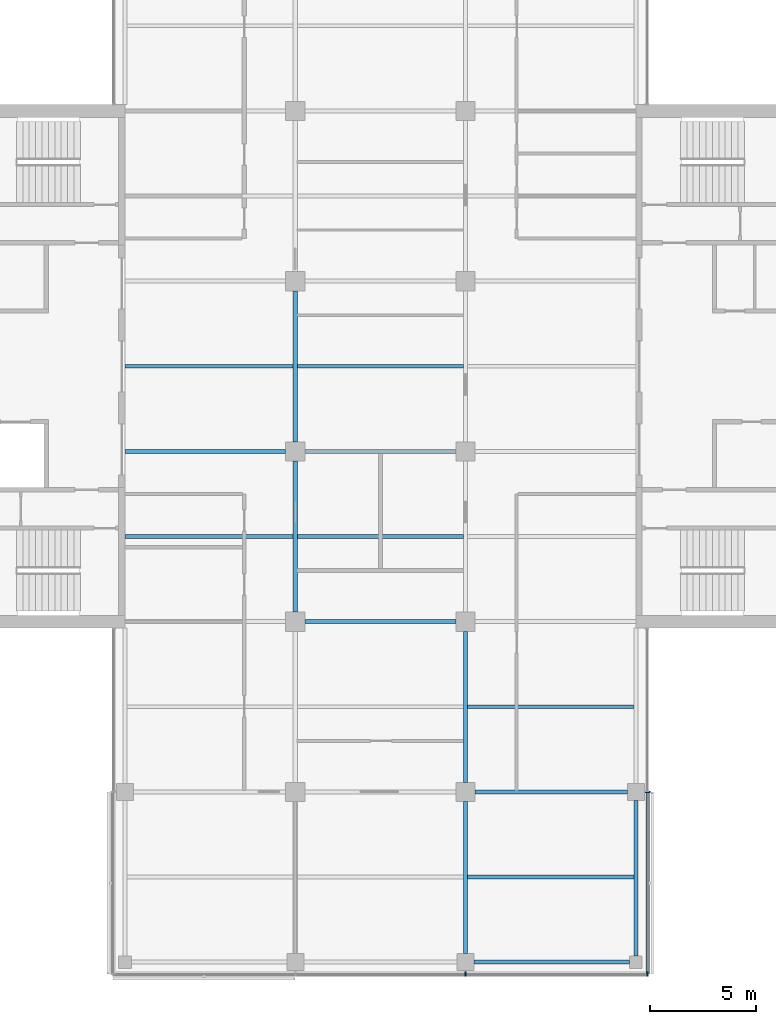
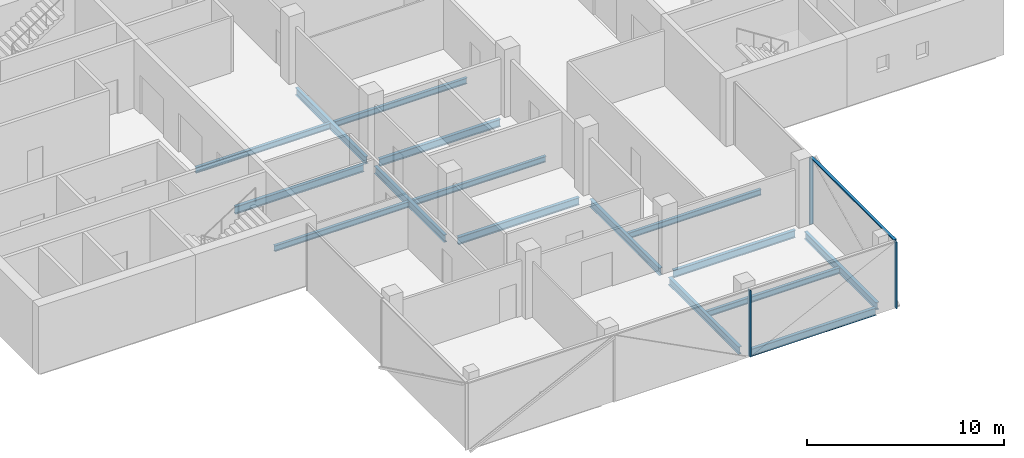
# One storey, part 3 of 15: 16 beams, 4 members, 2 elements without a shape of their own.
"""IFC4 building model written with IfcOpenShell, lengths in metres."""

from ifc_helpers import new_model, si_unit, direction, frame, origin, origin_2d, place, context, subcontext, project, spatial, rectangle, i_section, extrude, material, material_profile, profile_set, type_object, element, aggregate, save


model = new_model("IFC4")

# Units and contexts
model_context = context("Model", 3, precision=1e-05, world=origin(), true_north=direction((0.0, 1.0)))
body_context = subcontext(model_context, "Body", "Model", "MODEL_VIEW")
ifc_project = project(units=[si_unit("LENGTHUNIT", "METRE"), si_unit("AREAUNIT", "SQUARE_METRE"), si_unit("VOLUMEUNIT", "CUBIC_METRE"), si_unit("PLANEANGLEUNIT", "RADIAN"), si_unit("MASSUNIT", "GRAM", prefix="KILO")], contexts=[model_context])

# Site, building, storey
site_placement = place(None, origin())
site = spatial("IfcSite", under=ifc_project, at=site_placement, CompositionType="ELEMENT")
building_placement = place(site_placement, origin())
building = spatial("IfcBuilding", under=site, at=building_placement, Name="Crosswind Convention Tower", CompositionType="ELEMENT")
storey_placement = place(building_placement, frame((0.0, 0.0, 220.89990234375)))
storey = spatial("IfcBuildingStorey", under=building, at=storey_placement, Name="L47", CompositionType="ELEMENT", Elevation=220.89990234375)

# Beams
ifc_material_1 = material(Name="Steel S355", Category="steel")
ifc_material_profile_1 = material_profile(ifc_material_1, i_section(OverallWidth=0.18994140625, OverallDepth=0.45361328125, WebThickness=0.008544921875, FlangeThickness=0.0126953125, FilletRadius=0.01025390625, at=origin_2d()), Name="UB 457x191x67")
ifc_profile_set_1 = profile_set([ifc_material_profile_1], Name="Steel S355")
beam_type_1 = type_object("IfcBeamType", Name="Edge beam UB 457x191x67", PredefinedType="SPANDREL", material=ifc_profile_set_1)
for number, where, z_axis, x_axis, name in (
    (1, (129.39990234375, 72.0, -0.526611328125), (1.0, 0.0, 0.0), (0.0, 1.0, 0.0), "B16 L47 edge beam 9"),
    (2, (137.0, 72.300048828125, -0.526611328125), (0.0, 1.0, 0.0), (-1.0, 0.0, 0.0), "B16 L47 edge beam 11"),
):
    element("IfcBeam", number, at=place(storey_placement, frame(where, z_axis=z_axis, x_axis=x_axis)), inside=storey, type_object=beam_type_1, Name=name, PredefinedType="SPANDREL", context=body_context, shape_type="SweptSolid", body=[
        extrude(i_section(OverallWidth=0.18994140625, OverallDepth=0.45361328125, WebThickness=0.008544921875, FlangeThickness=0.0126953125, FilletRadius=0.01025390625, at=origin_2d()), origin(), (0.0, 0.0, 1.0), 7.300048828125),
    ])
ifc_material_profile_2 = material_profile(ifc_material_1, i_section(OverallWidth=0.1904296875, OverallDepth=0.457275390625, WebThickness=0.009033203125, FlangeThickness=0.014404296875, FilletRadius=0.01025390625, at=origin_2d()), Name="UB 457x191x75")
ifc_profile_set_2 = profile_set([ifc_material_profile_2], Name="Steel S355")
beam_type_2 = type_object("IfcBeamType", Name="Girder UB 457x191x75", PredefinedType="BEAM", material=ifc_profile_set_2)
for number, where, z_axis, x_axis, name in (
    (3, (121.0, 88.449951171875, -0.528564453125), (0.0, 1.0, 0.0), (-1.0, 0.0, 0.0), "B2 L47 girder 5"),
    (4, (121.0, 96.449951171875, -0.528564453125), (0.0, 1.0, 0.0), (-1.0, 0.0, 0.0), "B2 L47 girder 6"),
    (5, (121.449951171875, 88.0, -0.528564453125), (1.0, 0.0, 0.0), (0.0, 1.0, 0.0), "B2 L47 girder 11"),
    (6, (121.449951171875, 96.0, -0.528564453125), (1.0, 0.0, 0.0), (0.0, 1.0, 0.0), "B2 L47 girder 12"),
):
    element("IfcBeam", number, at=place(storey_placement, frame(where, z_axis=z_axis, x_axis=x_axis)), inside=storey, type_object=beam_type_2, Name=name, PredefinedType="BEAM", context=body_context, shape_type="SweptSolid", body=[
        extrude(i_section(OverallWidth=0.1904296875, OverallDepth=0.457275390625, WebThickness=0.009033203125, FlangeThickness=0.014404296875, FilletRadius=0.01025390625, at=origin_2d()), origin(), (0.0, 0.0, 1.0), 7.10009765625),
    ])
beam_1_placement = place(storey_placement, frame((129.0, 72.39990234375, -0.528564453125), z_axis=(0.0, 1.0, 0.0), x_axis=(-1.0, 0.0, 0.0)))
element("IfcBeam", 7, at=beam_1_placement, inside=storey, type_object=beam_type_2, Name="B2 L47 girder 16", PredefinedType="BEAM", context=body_context, shape_type="SweptSolid", body=[
    extrude(i_section(OverallWidth=0.1904296875, OverallDepth=0.457275390625, WebThickness=0.009033203125, FlangeThickness=0.014404296875, FilletRadius=0.01025390625, at=origin_2d()), origin(), (0.0, 0.0, 1.0), 7.150146484375),
])
beam_2_placement = place(storey_placement, frame((129.0, 80.449951171875, -0.528564453125), z_axis=(0.0, 1.0, 0.0), x_axis=(-1.0, 0.0, 0.0)))
element("IfcBeam", 8, at=beam_2_placement, inside=storey, type_object=beam_type_2, Name="B2 L47 girder 17", PredefinedType="BEAM", context=body_context, shape_type="SweptSolid", body=[
    extrude(i_section(OverallWidth=0.1904296875, OverallDepth=0.457275390625, WebThickness=0.009033203125, FlangeThickness=0.014404296875, FilletRadius=0.01025390625, at=origin_2d()), origin(), (0.0, 0.0, 1.0), 7.10009765625),
])
beam_3_placement = place(storey_placement, frame((129.449951171875, 80.0, -0.528564453125), z_axis=(1.0, 0.0, 0.0), x_axis=(0.0, 1.0, 0.0)))
element("IfcBeam", 9, at=beam_3_placement, inside=storey, type_object=beam_type_2, Name="B2 L47 girder 23", PredefinedType="BEAM", context=body_context, shape_type="SweptSolid", body=[
    extrude(i_section(OverallWidth=0.1904296875, OverallDepth=0.457275390625, WebThickness=0.009033203125, FlangeThickness=0.014404296875, FilletRadius=0.01025390625, at=origin_2d()), origin(), (0.0, 0.0, 1.0), 7.150146484375),
])
ifc_material_profile_3 = material_profile(ifc_material_1, i_section(OverallWidth=0.19140625, OverallDepth=0.460205078125, WebThickness=0.010009765625, FlangeThickness=0.01611328125, FilletRadius=0.01025390625, at=origin_2d()), Name="UB 457x191x82")
ifc_profile_set_3 = profile_set([ifc_material_profile_3], Name="Steel S355")
beam_type_3 = type_object("IfcBeamType", Name="Girder at core wall UB 457x191x82", PredefinedType="BEAM", material=ifc_profile_set_3)
beam_4_placement = place(storey_placement, frame((113.0, 96.0, -0.530029296875), z_axis=(1.0, 0.0, 0.0), x_axis=(0.0, 1.0, 0.0)))
element("IfcBeam", 10, at=beam_4_placement, inside=storey, type_object=beam_type_3, Name="B23 L47 girder at core wall 2", PredefinedType="BEAM", context=body_context, shape_type="SweptSolid", body=[
    extrude(i_section(OverallWidth=0.19140625, OverallDepth=0.460205078125, WebThickness=0.010009765625, FlangeThickness=0.01611328125, FilletRadius=0.01025390625, at=origin_2d()), origin(), (0.0, 0.0, 1.0), 7.550048828125),
])

# Curtain wall, members
ifc_material_2 = material(Name="Aluminium unitised curtain wall", Category="aluminium")
curtain_wall_type = type_object("IfcCurtainWallType", Name="OFFICE UNITISED WALL 220", PredefinedType="USERDEFINED", material=ifc_material_2)
curtain_wall_1_placement = place(storey_placement, origin())
curtain_wall_1 = element("IfcCurtainWall", 11, at=curtain_wall_1_placement, inside=storey, type_object=curtain_wall_type, Name="CW3 L47 S-TIP 1", ObjectType="UNITISED", PredefinedType="USERDEFINED")
ifc_material_3 = material(Name="Aluminium mullion", Category="aluminium")
ifc_material_profile_4 = material_profile(ifc_material_3, rectangle(XDim=0.219970703125, YDim=0.070068359375, at=origin_2d()), Name="AL 220X70")
ifc_profile_set_4 = profile_set([ifc_material_profile_4], Name="Aluminium mullion")
member_type_1 = type_object("IfcMemberType", Name="MULLION 70X220", PredefinedType="MULLION", material=ifc_profile_set_4)
member_1_placement = place(storey_placement, frame((129.0, 71.43994140625, -0.2998046875), z_axis=(0.0, 0.0, 1.0), x_axis=(0.0, -1.0, 0.0)))
member_1 = element("IfcMember", 12, at=member_1_placement, type_object=member_type_1, Name="CW3 mullion 3", PredefinedType="MULLION", context=body_context, shape_type="SweptSolid", body=[
    extrude(rectangle(XDim=0.219970703125, YDim=0.070068359375, at=origin_2d()), origin(), (0.0, 0.0, 1.0), 4.1298828125),
])
member_2_placement = place(storey_placement, frame((137.56005859375, 71.43994140625, -0.2998046875), z_axis=(0.0, 0.0, 1.0), x_axis=(0.0, -1.0, 0.0)))
member_2 = element("IfcMember", 13, at=member_2_placement, type_object=member_type_1, Name="CW3 mullion 4", PredefinedType="MULLION", context=body_context, shape_type="SweptSolid", body=[
    extrude(rectangle(XDim=0.219970703125, YDim=0.070068359375, at=origin_2d()), origin(), (0.0, 0.0, 1.0), 4.1298828125),
])
aggregate(curtain_wall_1, [member_1, member_2])

# Curtain wall, member
curtain_wall_2_placement = place(storey_placement, origin())
curtain_wall_2 = element("IfcCurtainWall", 14, at=curtain_wall_2_placement, inside=storey, type_object=curtain_wall_type, Name="CW3 L47 S-E 1", ObjectType="UNITISED", PredefinedType="USERDEFINED")
member_3_placement = place(storey_placement, frame((137.56005859375, 80.0, -0.2998046875), z_axis=(0.0, 0.0, 1.0), x_axis=(1.0, 0.0, 0.0)))
member_3 = element("IfcMember", 15, at=member_3_placement, type_object=member_type_1, Name="CW3 mullion 2", PredefinedType="MULLION", context=body_context, shape_type="SweptSolid", body=[
    extrude(rectangle(XDim=0.219970703125, YDim=0.070068359375, at=origin_2d()), origin(), (0.0, 0.0, 1.0), 4.1298828125),
])

# Beams
ifc_material_profile_5 = material_profile(ifc_material_1, i_section(OverallWidth=0.172119140625, OverallDepth=0.358642578125, WebThickness=0.008056640625, FlangeThickness=0.012939453125, FilletRadius=0.01025390625, at=origin_2d()), Name="UB 356x171x57")
ifc_profile_set_5 = profile_set([ifc_material_profile_5], Name="Steel S355")
beam_type_4 = type_object("IfcBeamType", Name="Secondary beam UB 356x171x57", PredefinedType="JOIST", material=ifc_profile_set_5)
for number, where, z_axis, x_axis, name in (
    (16, (113.0, 92.0, -0.479248046875), (1.0, 0.0, 0.0), (0.0, 1.0, 0.0), "B9 L47 secondary beam 1"),
    (17, (113.0, 100.0, -0.479248046875), (1.0, 0.0, 0.0), (0.0, 1.0, 0.0), "B9 L47 secondary beam 2"),
):
    element("IfcBeam", number, at=place(storey_placement, frame(where, z_axis=z_axis, x_axis=x_axis)), inside=storey, type_object=beam_type_4, Name=name, PredefinedType="JOIST", context=body_context, shape_type="SweptSolid", body=[
        extrude(i_section(OverallWidth=0.172119140625, OverallDepth=0.358642578125, WebThickness=0.008056640625, FlangeThickness=0.012939453125, FilletRadius=0.01025390625, at=origin_2d()), origin(), (0.0, 0.0, 1.0), 7.90478515625),
    ])
for number, where, z_axis, x_axis, name in (
    (18, (121.09521484375, 92.0, -0.479248046875), (1.0, 0.0, 0.0), (0.0, 1.0, 0.0), "B9 L47 secondary beam 10"),
    (19, (121.09521484375, 100.0, -0.479248046875), (1.0, 0.0, 0.0), (0.0, 1.0, 0.0), "B9 L47 secondary beam 11"),
):
    element("IfcBeam", number, at=place(storey_placement, frame(where, z_axis=z_axis, x_axis=x_axis)), inside=storey, type_object=beam_type_4, Name=name, PredefinedType="JOIST", context=body_context, shape_type="SweptSolid", body=[
        extrude(i_section(OverallWidth=0.172119140625, OverallDepth=0.358642578125, WebThickness=0.008056640625, FlangeThickness=0.012939453125, FilletRadius=0.01025390625, at=origin_2d()), origin(), (0.0, 0.0, 1.0), 7.8095703125),
    ])
for number, where, z_axis, x_axis, name in (
    (20, (129.09521484375, 76.0, -0.479248046875), (1.0, 0.0, 0.0), (0.0, 1.0, 0.0), "B9 L47 secondary beam 15"),
    (21, (129.09521484375, 84.0, -0.479248046875), (1.0, 0.0, 0.0), (0.0, 1.0, 0.0), "B9 L47 secondary beam 16"),
):
    element("IfcBeam", number, at=place(storey_placement, frame(where, z_axis=z_axis, x_axis=x_axis)), inside=storey, type_object=beam_type_4, Name=name, PredefinedType="JOIST", context=body_context, shape_type="SweptSolid", body=[
        extrude(i_section(OverallWidth=0.172119140625, OverallDepth=0.358642578125, WebThickness=0.008056640625, FlangeThickness=0.012939453125, FilletRadius=0.01025390625, at=origin_2d()), origin(), (0.0, 0.0, 1.0), 7.809814453125),
    ])

# Member
ifc_material_4 = material(Name="Aluminium transom", Category="aluminium")
ifc_material_profile_6 = material_profile(ifc_material_4, rectangle(XDim=0.159912109375, YDim=0.070068359375, at=origin_2d()), Name="AL 160X70")
ifc_profile_set_6 = profile_set([ifc_material_profile_6], Name="Aluminium transom")
member_type_2 = type_object("IfcMemberType", Name="TRANSOM 70X160", PredefinedType="USERDEFINED", material=ifc_profile_set_6)
member_4_placement = place(storey_placement, frame((137.56005859375, 71.47509765625, 3.864990234375), z_axis=(0.0, 1.0, 0.0), x_axis=(-1.0, 0.0, 0.0)))
member_4 = element("IfcMember", 22, at=member_4_placement, type_object=member_type_2, Name="CW3 transom", ObjectType="TRANSOM", PredefinedType="USERDEFINED", context=body_context, shape_type="SweptSolid", body=[
    extrude(rectangle(XDim=0.159912109375, YDim=0.070068359375, at=origin_2d()), origin(), (0.0, 0.0, 1.0), 8.489990234375),
])

aggregate(curtain_wall_2, [member_3, member_4])

save(model, "model.ifc")
